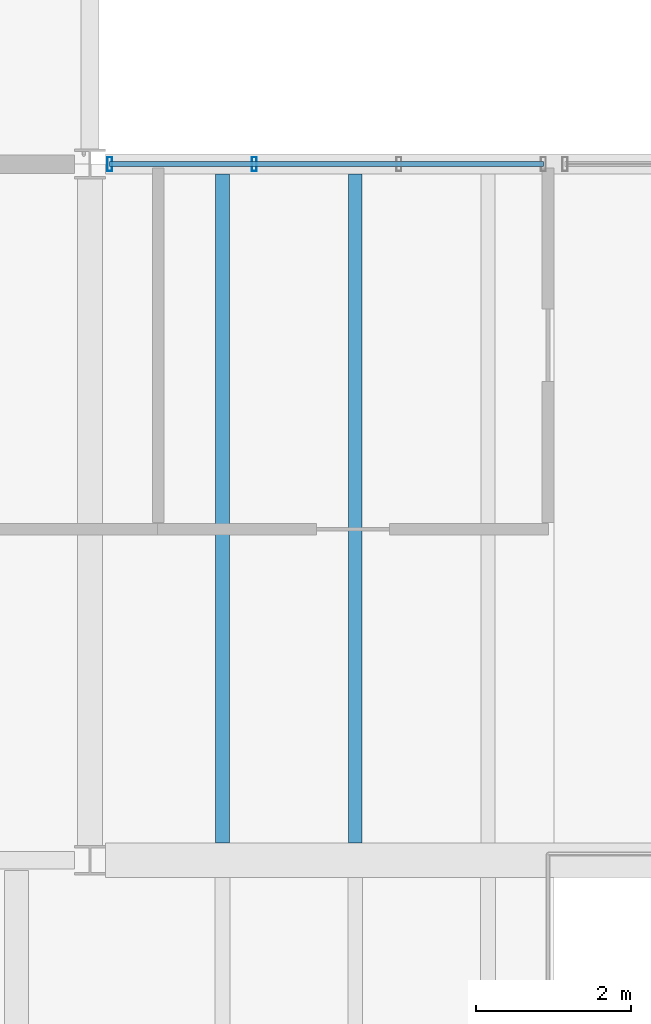
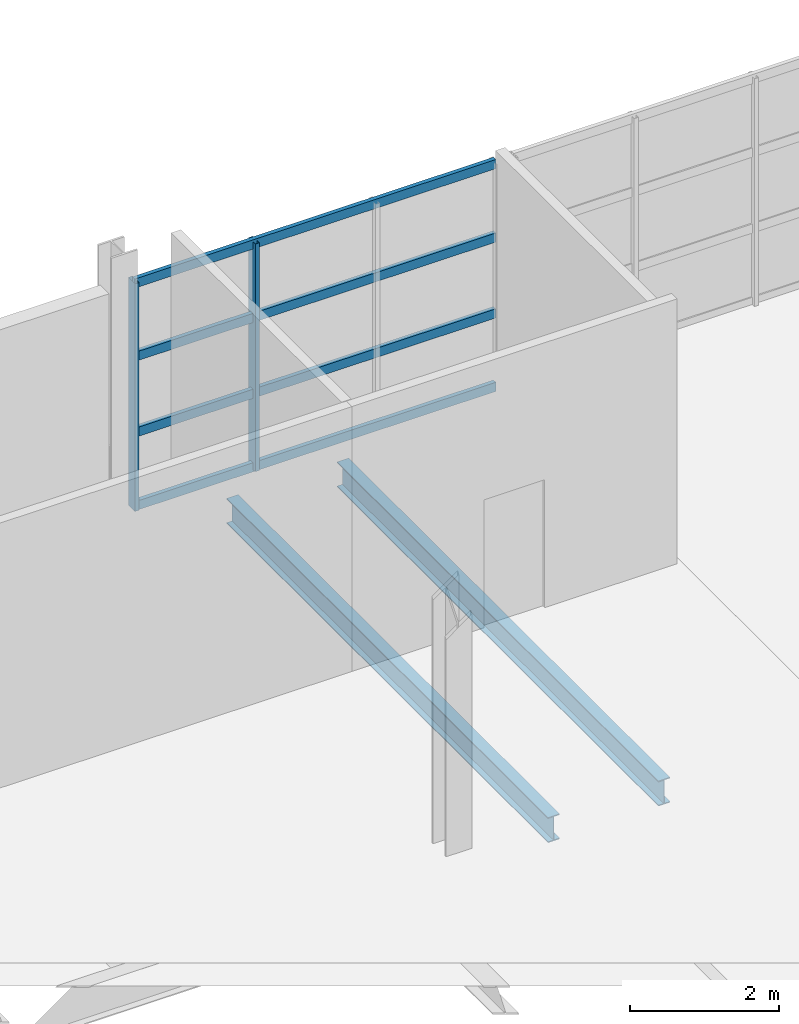
# One storey, part 13 of 78: 6 members, 2 beams, 1 element without a shape of its own.
"""IFC4 building model written with IfcOpenShell, lengths in metres."""

from ifc_helpers import new_model, si_unit, direction, frame, origin, origin_2d, place, context, subcontext, project, spatial, hollow_rectangle, i_section, extrude, material, material_profile, profile_set, type_object, element, aggregate, save


model = new_model("IFC4")

# Units and contexts
model_context = context("Model", 3, precision=1e-05, world=origin(), true_north=direction((0.0, 1.0)))
body_context = subcontext(model_context, "Body", "Model", "MODEL_VIEW")
ifc_project = project(units=[si_unit("LENGTHUNIT", "METRE"), si_unit("AREAUNIT", "SQUARE_METRE"), si_unit("VOLUMEUNIT", "CUBIC_METRE"), si_unit("PLANEANGLEUNIT", "RADIAN"), si_unit("MASSUNIT", "GRAM", prefix="KILO")], contexts=[model_context])

# Site, building, storey
site_placement = place(None, origin())
site = spatial("IfcSite", under=ifc_project, at=site_placement, CompositionType="ELEMENT")
building_placement = place(site_placement, origin())
building = spatial("IfcBuilding", under=site, at=building_placement, Name="Kelmvaro Bay Concert Hall", CompositionType="ELEMENT")
storey_placement = place(building_placement, frame((0.0, 0.0, 9.300048828125)))
storey = spatial("IfcBuildingStorey", under=building, at=storey_placement, Name="L02", CompositionType="ELEMENT", Elevation=9.300048828125)

# Curtain wall, members
ifc_material_1 = material(Name="Anodised Aluminium and Low-E Insulated Glazing", Category="aluminium")
curtain_wall_type = type_object("IfcCurtainWallType", Name="Upper Salon Waterfront Curtain Wall 4050", PredefinedType="USERDEFINED", material=ifc_material_1)
curtain_wall_placement = place(storey_placement, origin())
curtain_wall = element("IfcCurtainWall", 1, at=curtain_wall_placement, inside=storey, type_object=curtain_wall_type, Name="Unitised Curtain Wall CW-L02-089", ObjectType="UNITISED GLAZING", PredefinedType="USERDEFINED")
ifc_material_2 = material(Name="Anodised Extruded Aluminium 6063-T6", Category="aluminium")
ifc_material_profile_1 = material_profile(ifc_material_2, hollow_rectangle(XDim=0.06494140625, YDim=0.179931640625, WallThickness=0.00390625, at=origin_2d()), Name="ALU-MUL-180X65")
ifc_profile_set_1 = profile_set([ifc_material_profile_1], Name="Anodised Extruded Aluminium 6063-T6")
member_type_1 = type_object("IfcMemberType", Name="Curtain Mullion ALU 180x65", PredefinedType="MULLION", material=ifc_profile_set_1)
member_1_placement = place(storey_placement, frame((60.25439453125, 39.0, 0.0), z_axis=(0.0, 0.0, 1.0), x_axis=(1.0, 0.0, 0.0)))
member_1 = element("IfcMember", 2, at=member_1_placement, type_object=member_type_1, Name="CW-L02-089 Mullion 01", PredefinedType="MULLION", context=body_context, shape_type="SweptSolid", body=[
    extrude(hollow_rectangle(XDim=0.06494140625, YDim=0.179931640625, WallThickness=0.00390625, at=origin_2d()), origin(), (0.0, 0.0, 1.0), 3.739013671875),
])
member_2_placement = place(storey_placement, frame((62.123046875, 39.0, 0.0), z_axis=(0.0, 0.0, 1.0), x_axis=(1.0, 0.0, 0.0)))
member_2 = element("IfcMember", 3, at=member_2_placement, type_object=member_type_1, Name="CW-L02-089 Mullion 02", PredefinedType="MULLION", context=body_context, shape_type="SweptSolid", body=[
    extrude(hollow_rectangle(XDim=0.06494140625, YDim=0.179931640625, WallThickness=0.00390625, at=origin_2d()), origin(), (0.0, 0.0, 1.0), 3.739013671875),
])
ifc_material_3 = material(Name="Anodised Extruded Aluminium 6063-T6", Category="aluminium")
ifc_material_profile_2 = material_profile(ifc_material_3, hollow_rectangle(XDim=0.06494140625, YDim=0.14990234375, WallThickness=0.00390625, at=origin_2d()), Name="ALU-TRN-150X65")
ifc_profile_set_2 = profile_set([ifc_material_profile_2], Name="Anodised Extruded Aluminium 6063-T6")
member_type_2 = type_object("IfcMemberType", Name="Curtain Transom ALU 150x65", PredefinedType="USERDEFINED", material=ifc_profile_set_2)
member_3_placement = place(storey_placement, frame((60.25439453125, 39.0, 0.0400390625), z_axis=(1.0, 0.0, 0.0), x_axis=(0.0, 1.0, 0.0)))
member_3 = element("IfcMember", 4, at=member_3_placement, type_object=member_type_2, Name="CW-L02-089 Transom 01", ObjectType="TRANSOM", PredefinedType="USERDEFINED", context=body_context, shape_type="SweptSolid", body=[
    extrude(hollow_rectangle(XDim=0.06494140625, YDim=0.14990234375, WallThickness=0.00390625, at=origin_2d()), origin(), (0.0, 0.0, 1.0), 5.605712890625),
])
member_4_placement = place(storey_placement, frame((60.25439453125, 39.0, 1.246337890625), z_axis=(1.0, 0.0, 0.0), x_axis=(0.0, 1.0, 0.0)))
member_4 = element("IfcMember", 5, at=member_4_placement, type_object=member_type_2, Name="CW-L02-089 Transom 02", ObjectType="TRANSOM", PredefinedType="USERDEFINED", context=body_context, shape_type="SweptSolid", body=[
    extrude(hollow_rectangle(XDim=0.06494140625, YDim=0.14990234375, WallThickness=0.00390625, at=origin_2d()), origin(), (0.0, 0.0, 1.0), 5.605712890625),
])
member_5_placement = place(storey_placement, frame((60.25439453125, 39.0, 2.49267578125), z_axis=(1.0, 0.0, 0.0), x_axis=(0.0, 1.0, 0.0)))
member_5 = element("IfcMember", 6, at=member_5_placement, type_object=member_type_2, Name="CW-L02-089 Transom 03", ObjectType="TRANSOM", PredefinedType="USERDEFINED", context=body_context, shape_type="SweptSolid", body=[
    extrude(hollow_rectangle(XDim=0.06494140625, YDim=0.14990234375, WallThickness=0.00390625, at=origin_2d()), origin(), (0.0, 0.0, 1.0), 5.605712890625),
])
member_6_placement = place(storey_placement, frame((60.25439453125, 39.0, 3.698974609375), z_axis=(1.0, 0.0, 0.0), x_axis=(0.0, 1.0, 0.0)))
member_6 = element("IfcMember", 7, at=member_6_placement, type_object=member_type_2, Name="CW-L02-089 Transom 04", ObjectType="TRANSOM", PredefinedType="USERDEFINED", context=body_context, shape_type="SweptSolid", body=[
    extrude(hollow_rectangle(XDim=0.06494140625, YDim=0.14990234375, WallThickness=0.00390625, at=origin_2d()), origin(), (0.0, 0.0, 1.0), 5.605712890625),
])
aggregate(curtain_wall, [member_1, member_2, member_3, member_4, member_5, member_6])

# Beams
ifc_material_4 = material(Name="Steel ASTM A992 Grade 50", Category="steel")
ifc_material_profile_3 = material_profile(ifc_material_4, i_section(OverallWidth=0.179931640625, OverallDepth=0.4140625, WebThickness=0.009765625, FlangeThickness=0.01611328125, at=origin_2d()), Name="W16X50")
ifc_profile_set_3 = profile_set([ifc_material_profile_3], Name="Steel ASTM A992 Grade 50")
beam_type = type_object("IfcBeamType", Name="Terrace Composite Joist W16x50", PredefinedType="JOIST", material=ifc_profile_set_3)
for number, where, z_axis, x_axis, name in (
    (8, (61.71435546875, 30.22509765625, -0.45703125), (0.0, 1.0, 0.0), (-1.0, 0.0, 0.0), "L02 Floor Joist JST-L02-1051"),
    (9, (63.4287109375, 30.22509765625, -0.45703125), (0.0, 1.0, 0.0), (-1.0, 0.0, 0.0), "L02 Floor Joist JST-L02-1052"),
):
    element("IfcBeam", number, at=place(storey_placement, frame(where, z_axis=z_axis, x_axis=x_axis)), inside=storey, type_object=beam_type, Name=name, PredefinedType="JOIST", context=body_context, shape_type="SweptSolid", body=[
        extrude(i_section(OverallWidth=0.179931640625, OverallDepth=0.4140625, WebThickness=0.009765625, FlangeThickness=0.01611328125, at=origin_2d()), origin(), (0.0, 0.0, 1.0), 8.64697265625),
    ])

save(model, "model.ifc")
